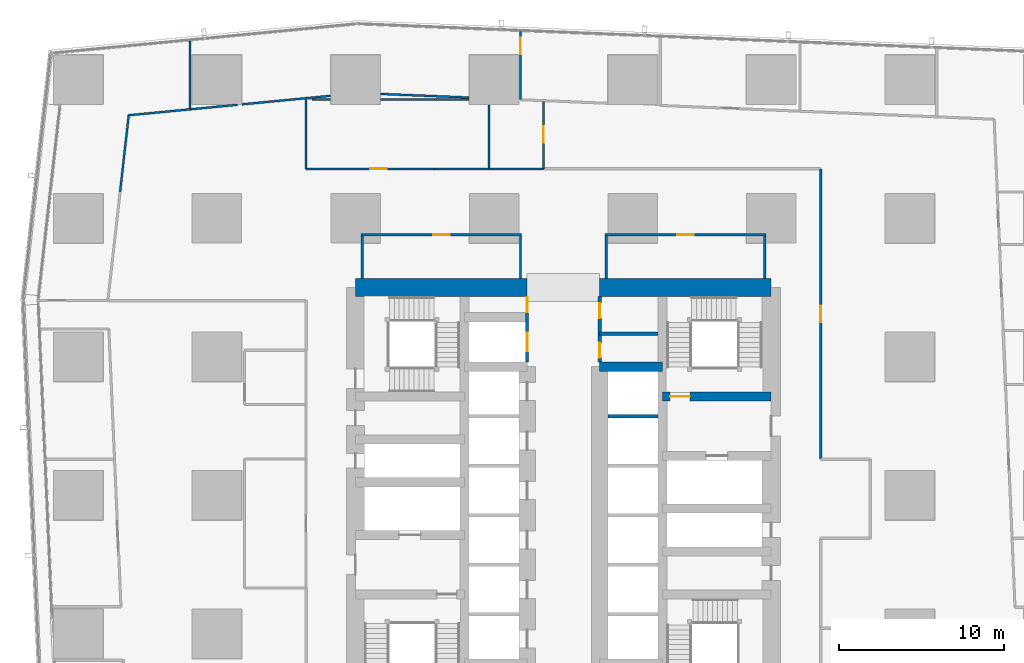
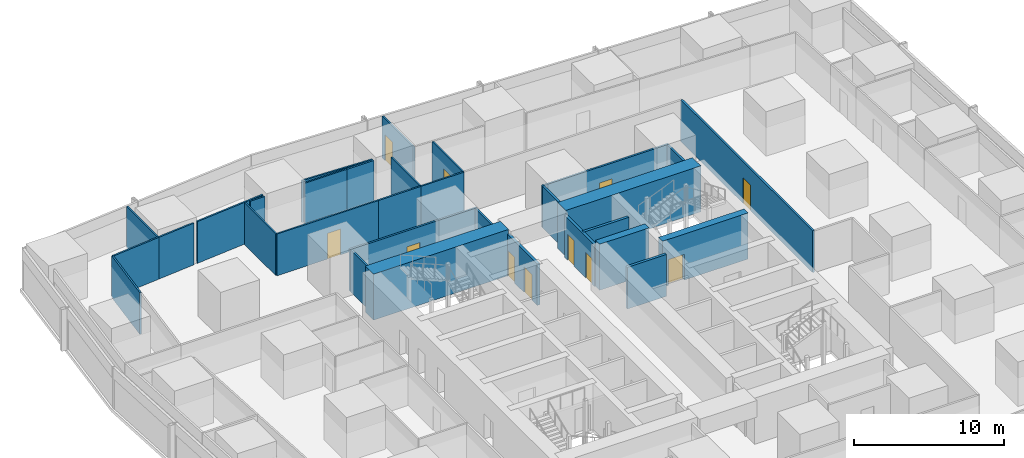
# One storey, part 34 of 44: 32 walls, 11 doors, 11 openings.
"""IFC4 building model written with IfcOpenShell, lengths in metres."""

from ifc_helpers import new_model, si_unit, direction, frame, frame_2d, origin, place, context, subcontext, project, spatial, rectangle, extrude, material, layer, layer_set, type_object, element, fill, save


model = new_model("IFC4")

# Units and contexts
model_context = context("Model", 3, precision=1e-05, world=origin(), true_north=direction((0.0, 1.0)))
body_context = subcontext(model_context, "Body", "Model", "MODEL_VIEW")
ifc_project = project(units=[si_unit("LENGTHUNIT", "METRE"), si_unit("AREAUNIT", "SQUARE_METRE"), si_unit("VOLUMEUNIT", "CUBIC_METRE"), si_unit("PLANEANGLEUNIT", "RADIAN"), si_unit("MASSUNIT", "GRAM", prefix="KILO")], contexts=[model_context])

# Site, building, storey
site_placement = place(None, origin())
site = spatial("IfcSite", under=ifc_project, at=site_placement, CompositionType="ELEMENT")
building_placement = place(site_placement, origin())
building = spatial("IfcBuilding", under=site, at=building_placement, Name="Rekha Terrace Tower", CompositionType="ELEMENT")
storey_placement = place(building_placement, frame((0.0, 0.0, 81.64990234375)))
storey = spatial("IfcBuildingStorey", under=building, at=storey_placement, Name="L20", CompositionType="ELEMENT", Elevation=81.64990234375)

# Wall
ifc_material_1 = material(Name="Concrete M70", Category="concrete")
ifc_layer_1 = layer(ifc_material_1, 0.550048828125)
ifc_layer_set_1 = layer_set([ifc_layer_1], Name="Concrete M70")
wall_type_1 = type_object("IfcWallType", Name="CI1 550 core internal shear wall", PredefinedType="SHEAR", material=ifc_layer_set_1)
wall_1_placement = place(storey_placement, frame((40.0, 41.39990234375, 0.0), z_axis=(0.0, 0.0, 1.0), x_axis=(1.0, 0.0, 0.0)))
element("IfcWall", 1, at=wall_1_placement, inside=storey, type_object=wall_type_1, Name="Core wall Y414E L20", PredefinedType="SHEAR", context=body_context, shape_type="SweptSolid", body=[
    extrude(rectangle(XDim=3.800048828125, YDim=0.550048828125, at=frame_2d((1.89990234375, 0.0))), origin(), (0.0, 0.0, 1.0), 3.75),
])

# Wall, opening, door
wall_2_placement = place(storey_placement, frame((43.800048828125, 39.60009765625, 0.0), z_axis=(0.0, 0.0, 1.0), x_axis=(1.0, 0.0, 0.0)))
wall_2 = element("IfcWall", 2, at=wall_2_placement, inside=storey, type_object=wall_type_1, Name="Core wall Y396E L20", PredefinedType="SHEAR", context=body_context, shape_type="SweptSolid", body=[
    extrude(rectangle(XDim=6.599853515625, YDim=0.550048828125, at=frame_2d((3.2998046875, 0.0))), origin(), (0.0, 0.0, 1.0), 3.75),
])
opening_1_placement = place(wall_2_placement, frame((0.47509765625, 0.0, 0.0)))
opening_1 = element("IfcOpeningElement", 3, at=opening_1_placement, cuts=wall_2, Name="Opening D1", PredefinedType="OPENING", context=body_context, shape_type="SweptSolid", body=[
    extrude(rectangle(XDim=1.199951171875, YDim=2.10009765625, at=frame_2d((0.60009765625, 1.050048828125))), frame((0.0, 0.284912109375, 0.0), z_axis=(0.0, -1.0, 0.0), x_axis=(1.0, 0.0, 0.0)), (0.0, 0.0, 1.0), 0.570068359375),
])
ifc_material_2 = material(Name="Steel fire door", Category="steel")
door_type_1 = type_object("IfcDoorType", Name="D1 1200x2100 stair fire door", OperationType="SINGLE_SWING_RIGHT", PredefinedType="DOOR", material=ifc_material_2)
door_1_placement = place(opening_1_placement, origin())
door_1 = element("IfcDoor", 4, at=door_1_placement, inside=storey, type_object=door_type_1, Name="Stair ST2 door L20", OperationType="SINGLE_SWING_RIGHT", OverallHeight=2.10009765625, OverallWidth=1.199951171875, PredefinedType="DOOR", context=body_context, shape_type="SweptSolid", body=[
    extrude(rectangle(XDim=1.199951171875, YDim=2.10009765625, at=frame_2d((0.60009765625, 1.050048828125))), frame((0.0, 0.02490234375, 0.0), z_axis=(0.0, -1.0, 0.0), x_axis=(1.0, 0.0, 0.0)), (0.0, 0.0, 1.0), 0.050048828125),
])
fill(opening_1, door_1)

# Walls
ifc_layer_2 = layer(ifc_material_1, 1.10009765625)
ifc_layer_set_2 = layer_set([ifc_layer_2], Name="Concrete M70")
wall_type_2 = type_object("IfcWallType", Name="SW1 1100 core outer shear wall", PredefinedType="SHEAR", material=ifc_layer_set_2)
wall_3_placement = place(storey_placement, frame((25.199951171875, 46.199951171875, 0.0), z_axis=(0.0, 0.0, 1.0), x_axis=(1.0, 0.0, 0.0)))
element("IfcWall", 5, at=wall_3_placement, inside=storey, type_object=wall_type_2, Name="Core wall N1 L20", PredefinedType="SHEAR", context=body_context, shape_type="SweptSolid", body=[
    extrude(rectangle(XDim=10.400146484375, YDim=1.10009765625, at=frame_2d((5.2001953125, 0.0))), origin(), (0.0, 0.0, 1.0), 3.75),
])
wall_4_placement = place(storey_placement, frame((40.0, 46.199951171875, 0.0), z_axis=(0.0, 0.0, 1.0), x_axis=(1.0, 0.0, 0.0)))
element("IfcWall", 6, at=wall_4_placement, inside=storey, type_object=wall_type_2, Name="Core wall N2 L20", PredefinedType="SHEAR", context=body_context, shape_type="SweptSolid", body=[
    extrude(rectangle(XDim=10.39990234375, YDim=1.10009765625, at=frame_2d((5.199951171875, 0.0))), origin(), (0.0, 0.0, 1.0), 3.75),
])

# Wall, opening, door
ifc_material_3 = material(Name="Concrete block masonry, 1 hour", Category="masonry")
ifc_layer_3 = layer(ifc_material_3, 0.14990234375)
ifc_layer_set_3 = layer_set([ifc_layer_3], Name="Concrete block masonry, 1 hour")
wall_type_3 = type_object("IfcWallType", Name="WP2 150 tenancy partition", PredefinedType="PARTITIONING", material=ifc_layer_set_3)
wall_5_placement = place(storey_placement, frame((40.324951171875, 49.39990234375, 0.0), z_axis=(0.0, 0.0, 1.0), x_axis=(1.0, 0.0, 0.0)))
wall_5 = element("IfcWall", 7, at=wall_5_placement, inside=storey, type_object=wall_type_3, Name="Women's WC wall L20", PredefinedType="PARTITIONING", context=body_context, shape_type="SweptSolid", body=[
    extrude(rectangle(XDim=9.75, YDim=0.14990234375, at=frame_2d((4.875, 0.0))), origin(), (0.0, 0.0, 1.0), 3.400146484375),
])
opening_2_placement = place(wall_5_placement, frame((4.375, 0.0, 0.0)))
opening_2 = element("IfcOpeningElement", 8, at=opening_2_placement, cuts=wall_5, Name="Opening D3", PredefinedType="OPENING", context=body_context, shape_type="SweptSolid", body=[
    extrude(rectangle(XDim=1.0, YDim=2.10009765625, at=frame_2d((0.5, 1.050048828125))), frame((0.0, 0.0849609375, 0.0), z_axis=(0.0, -1.0, 0.0), x_axis=(1.0, 0.0, 0.0)), (0.0, 0.0, 1.0), 0.169921875),
])
ifc_material_4 = material(Name="Laminated timber fire door", Category="wood")
door_type_2 = type_object("IfcDoorType", Name="D3 1000x2100 WC door", OperationType="SINGLE_SWING_LEFT", PredefinedType="DOOR", material=ifc_material_4)
door_2_placement = place(opening_2_placement, origin())
door_2 = element("IfcDoor", 9, at=door_2_placement, inside=storey, type_object=door_type_2, Name="Door women's wc L20", OperationType="SINGLE_SWING_LEFT", OverallHeight=2.10009765625, OverallWidth=1.0, PredefinedType="DOOR", context=body_context, shape_type="SweptSolid", body=[
    extrude(rectangle(XDim=1.0, YDim=2.10009765625, at=frame_2d((0.5, 1.050048828125))), frame((0.0, 0.02490234375, 0.0), z_axis=(0.0, -1.0, 0.0), x_axis=(1.0, 0.0, 0.0)), (0.0, 0.0, 1.0), 0.050048828125),
])
fill(opening_2, door_2)

# Walls
for number, where, z_axis, x_axis, name in (
    (10, (40.39990234375, 46.75, 0.0), (0.0, 0.0, 1.0), (0.0, 1.0, 0.0), "Women's WC wall L20"),
    (11, (50.0, 46.75, 0.0), (0.0, 0.0, 1.0), (0.0, 1.0, 0.0), "Women's WC wall L20"),
):
    element("IfcWall", number, at=place(storey_placement, frame(where, z_axis=z_axis, x_axis=x_axis)), inside=storey, type_object=wall_type_3, Name=name, PredefinedType="PARTITIONING", context=body_context, shape_type="SweptSolid", body=[
        extrude(rectangle(XDim=2.574951171875, YDim=0.14990234375, at=frame_2d((1.28759765625, 0.0))), origin(), (0.0, 0.0, 1.0), 3.400146484375),
    ])

# Wall, opening, door
wall_6_placement = place(storey_placement, frame((25.52490234375, 49.39990234375, 0.0), z_axis=(0.0, 0.0, 1.0), x_axis=(1.0, 0.0, 0.0)))
wall_6 = element("IfcWall", 12, at=wall_6_placement, inside=storey, type_object=wall_type_3, Name="Women's WC wall L20", PredefinedType="PARTITIONING", context=body_context, shape_type="SweptSolid", body=[
    extrude(rectangle(XDim=9.75, YDim=0.14990234375, at=frame_2d((4.875, 0.0))), origin(), (0.0, 0.0, 1.0), 3.400146484375),
])
opening_3_placement = place(wall_6_placement, frame((4.375, 0.0, 0.0)))
opening_3 = element("IfcOpeningElement", 13, at=opening_3_placement, cuts=wall_6, Name="Opening D3", PredefinedType="OPENING", context=body_context, shape_type="SweptSolid", body=[
    extrude(rectangle(XDim=1.0, YDim=2.10009765625, at=frame_2d((0.5, 1.050048828125))), frame((0.0, 0.0849609375, 0.0), z_axis=(0.0, -1.0, 0.0), x_axis=(1.0, 0.0, 0.0)), (0.0, 0.0, 1.0), 0.169921875),
])
door_3_placement = place(opening_3_placement, origin())
door_3 = element("IfcDoor", 14, at=door_3_placement, inside=storey, type_object=door_type_2, Name="Door women's wc L20", OperationType="SINGLE_SWING_LEFT", OverallHeight=2.10009765625, OverallWidth=1.0, PredefinedType="DOOR", context=body_context, shape_type="SweptSolid", body=[
    extrude(rectangle(XDim=1.0, YDim=2.10009765625, at=frame_2d((0.5, 1.050048828125))), frame((0.0, 0.02490234375, 0.0), z_axis=(0.0, -1.0, 0.0), x_axis=(1.0, 0.0, 0.0)), (0.0, 0.0, 1.0), 0.050048828125),
])
fill(opening_3, door_3)

# Walls
for number, where, z_axis, x_axis, name in (
    (15, (25.60009765625, 46.75, 0.0), (0.0, 0.0, 1.0), (0.0, 1.0, 0.0), "Women's WC wall L20"),
    (16, (35.199951171875, 46.75, 0.0), (0.0, 0.0, 1.0), (0.0, 1.0, 0.0), "Women's WC wall L20"),
):
    element("IfcWall", number, at=place(storey_placement, frame(where, z_axis=z_axis, x_axis=x_axis)), inside=storey, type_object=wall_type_3, Name=name, PredefinedType="PARTITIONING", context=body_context, shape_type="SweptSolid", body=[
        extrude(rectangle(XDim=2.574951171875, YDim=0.14990234375, at=frame_2d((1.28759765625, 0.0))), origin(), (0.0, 0.0, 1.0), 3.400146484375),
    ])

# Wall, opening, door
wall_7_placement = place(storey_placement, frame((53.39990234375, 35.800048828125, 0.0), z_axis=(0.0, 0.0, 1.0), x_axis=(0.0, 1.0, 0.0)))
wall_7 = element("IfcWall", 17, at=wall_7_placement, inside=storey, type_object=wall_type_3, Name="Partition L20-O1", PredefinedType="PARTITIONING", context=body_context, shape_type="SweptSolid", body=[
    extrude(rectangle(XDim=17.599853515625, YDim=0.14990234375, at=frame_2d((8.7998046875, 0.0))), origin(), (0.0, 0.0, 1.0), 3.400146484375),
])
opening_4_placement = place(wall_7_placement, frame((8.300048828125, 0.0, 0.0)))
opening_4 = element("IfcOpeningElement", 18, at=opening_4_placement, cuts=wall_7, Name="Opening D9", PredefinedType="OPENING", context=body_context, shape_type="SweptSolid", body=[
    extrude(rectangle(XDim=1.0, YDim=2.10009765625, at=frame_2d((0.5, 1.050048828125))), frame((0.0, 0.0849609375, 0.0), z_axis=(0.0, -1.0, 0.0), x_axis=(1.0, 0.0, 0.0)), (0.0, 0.0, 1.0), 0.169921875),
])
ifc_material_5 = material(Name="Timber fire door", Category="wood")
door_type_3 = type_object("IfcDoorType", Name="D9 1000x2100 office door", OperationType="SINGLE_SWING_LEFT", PredefinedType="DOOR", material=ifc_material_5)
door_4_placement = place(opening_4_placement, origin())
door_4 = element("IfcDoor", 19, at=door_4_placement, inside=storey, type_object=door_type_3, Name="Door open-plan office L20", OperationType="SINGLE_SWING_LEFT", OverallHeight=2.10009765625, OverallWidth=1.0, PredefinedType="DOOR", context=body_context, shape_type="SweptSolid", body=[
    extrude(rectangle(XDim=1.0, YDim=2.10009765625, at=frame_2d((0.5, 1.050048828125))), frame((0.0, 0.02490234375, 0.0), z_axis=(0.0, -1.0, 0.0), x_axis=(1.0, 0.0, 0.0)), (0.0, 0.0, 1.0), 0.050048828125),
])
fill(opening_4, door_4)

ifc_material_6 = material(Name="Two layers of fire-rated gypsum board each side on steel studs, acoustic quilt, 1 hour", Category="steel")
ifc_layer_4 = layer(ifc_material_6, 0.125)
ifc_layer_set_4 = layer_set([ifc_layer_4], Name="Two layers of fire-rated gypsum board each side on steel studs, acoustic quilt, 1 hour")
wall_type_4 = type_object("IfcWallType", Name="WP3 125 office partition", PredefinedType="PARTITIONING", material=ifc_layer_set_4)
wall_8_placement = place(storey_placement, frame((35.199951171875, 57.589111328125, 0.0), z_axis=(0.0, 0.0, 1.0), x_axis=(0.0, 1.0, 0.0)))
wall_8 = element("IfcWall", 20, at=wall_8_placement, inside=storey, type_object=wall_type_4, Name="Partition L20-06", PredefinedType="PARTITIONING", context=body_context, shape_type="SweptSolid", body=[
    extrude(rectangle(XDim=4.123779296875, YDim=0.125, at=frame_2d((2.06201171875, 0.0))), origin(), (0.0, 0.0, 1.0), 3.400146484375),
])
opening_5_placement = place(wall_8_placement, frame((2.761962890625, 0.0, 0.0)))
opening_5 = element("IfcOpeningElement", 21, at=opening_5_placement, cuts=wall_8, Name="Opening D9", PredefinedType="OPENING", context=body_context, shape_type="SweptSolid", body=[
    extrude(rectangle(XDim=1.0, YDim=2.10009765625, at=frame_2d((0.5, 1.050048828125))), frame((0.0, 0.072509765625, 0.0), z_axis=(0.0, -1.0, 0.0), x_axis=(1.0, 0.0, 0.0)), (0.0, 0.0, 1.0), 0.14501953125),
])
door_5_placement = place(opening_5_placement, origin())
door_5 = element("IfcDoor", 22, at=door_5_placement, inside=storey, type_object=door_type_3, Name="Door office L20", OperationType="SINGLE_SWING_LEFT", OverallHeight=2.10009765625, OverallWidth=1.0, PredefinedType="DOOR", context=body_context, shape_type="SweptSolid", body=[
    extrude(rectangle(XDim=1.0, YDim=2.10009765625, at=frame_2d((0.5, 1.050048828125))), frame((0.0, 0.02490234375, 0.0), z_axis=(0.0, -1.0, 0.0), x_axis=(1.0, 0.0, 0.0)), (0.0, 0.0, 1.0), 0.050048828125),
])
fill(opening_5, door_5)

# Walls
wall_9_placement = place(storey_placement, frame((15.177001953125, 57.0048828125, 0.0), z_axis=(0.0, 0.0, 1.0), x_axis=(0.0, 1.0, 0.0)))
element("IfcWall", 23, at=wall_9_placement, inside=storey, type_object=wall_type_4, Name="Partition L20-07", PredefinedType="PARTITIONING", context=body_context, shape_type="SweptSolid", body=[
    extrude(rectangle(XDim=4.13916015625, YDim=0.125, at=frame_2d((2.069580078125, 0.0))), origin(), (0.0, 0.0, 1.0), 3.400146484375),
])
wall_10_placement = place(storey_placement, frame((32.080078125, 57.718017578125, 0.0), z_axis=(0.0, 0.0, 1.0), x_axis=(-0.99915427175, 0.041118624049, 0.0)))
element("IfcWall", 24, at=wall_10_placement, inside=storey, type_object=wall_type_4, Name="Partition L20-07", PredefinedType="PARTITIONING", context=body_context, shape_type="SweptSolid", body=[
    extrude(rectangle(XDim=5.177490234375, YDim=0.125, at=frame_2d((2.5888671875, 0.0))), origin(), (0.0, 0.0, 1.0), 3.400146484375),
])
wall_11_placement = place(storey_placement, frame((26.906982421875, 57.930908203125, 0.0), z_axis=(0.0, 0.0, 1.0), x_axis=(-0.999073306043, 0.043041017101, 0.0)))
element("IfcWall", 25, at=wall_11_placement, inside=storey, type_object=wall_type_4, Name="Partition L20-07", PredefinedType="PARTITIONING", context=body_context, shape_type="SweptSolid", body=[
    extrude(rectangle(XDim=0.187255859375, YDim=0.125, at=frame_2d((0.09375, 0.0))), origin(), (0.0, 0.0, 1.0), 3.400146484375),
])
wall_12_placement = place(storey_placement, frame((23.679931640625, 57.822998046875, 0.0), z_axis=(0.0, 0.0, 1.0), x_axis=(-0.995395894547, -0.095848907765, 0.0)))
element("IfcWall", 26, at=wall_12_placement, inside=storey, type_object=wall_type_4, Name="Partition L20-07", PredefinedType="PARTITIONING", context=body_context, shape_type="SweptSolid", body=[
    extrude(rectangle(XDim=5.384765625, YDim=0.125, at=frame_2d((2.6923828125, 0.0))), origin(), (0.0, 0.0, 1.0), 3.400146484375),
])
wall_13_placement = place(storey_placement, frame((18.037109375, 57.280029296875, 0.0), z_axis=(0.0, 0.0, 1.0), x_axis=(-0.995404513367, -0.095759358648, 0.0)))
element("IfcWall", 27, at=wall_13_placement, inside=storey, type_object=wall_type_4, Name="Partition L20-07", PredefinedType="PARTITIONING", context=body_context, shape_type="SweptSolid", body=[
    extrude(rectangle(XDim=2.873291015625, YDim=0.125, at=frame_2d((1.4365234375, 0.0))), origin(), (0.0, 0.0, 1.0), 3.400146484375),
])
wall_14_placement = place(storey_placement, frame((15.176025390625, 57.0048828125, 0.0), z_axis=(0.0, 0.0, 1.0), x_axis=(-0.995395878678, -0.095849072557, 0.0)))
element("IfcWall", 28, at=wall_14_placement, inside=storey, type_object=wall_type_4, Name="Partition L20-08", PredefinedType="PARTITIONING", context=body_context, shape_type="SweptSolid", body=[
    extrude(rectangle(XDim=3.744384765625, YDim=0.125, at=frame_2d((1.8720703125, 0.0))), origin(), (0.0, 0.0, 1.0), 3.400146484375),
])
wall_15_placement = place(storey_placement, frame((11.448974609375, 56.64599609375, 0.0), z_axis=(0.0, 0.0, 1.0), x_axis=(-0.111724331414, -0.993739238317, 0.0)))
element("IfcWall", 29, at=wall_15_placement, inside=storey, type_object=wall_type_4, Name="Partition L20-08", PredefinedType="PARTITIONING", context=body_context, shape_type="SweptSolid", body=[
    extrude(rectangle(XDim=4.663330078125, YDim=0.125, at=frame_2d((2.33154296875, 0.0))), origin(), (0.0, 0.0, 1.0), 3.400146484375),
])
wall_16_placement = place(storey_placement, frame((22.56103515625, 57.589111328125, 0.0), z_axis=(0.0, 0.0, 1.0), x_axis=(1.0, 0.0, 0.0)))
element("IfcWall", 30, at=wall_16_placement, inside=storey, type_object=wall_type_4, Name="Partition L20-09", PredefinedType="PARTITIONING", context=body_context, shape_type="SweptSolid", body=[
    extrude(rectangle(XDim=1.118896484375, YDim=0.125, at=frame_2d((0.5595703125, 0.0))), origin(), (0.0, 0.0, 1.0), 3.400146484375),
])
wall_17_placement = place(storey_placement, frame((26.719970703125, 57.589111328125, 0.0), z_axis=(0.0, 0.0, 1.0), x_axis=(1.0, 0.0, 0.0)))
element("IfcWall", 31, at=wall_17_placement, inside=storey, type_object=wall_type_4, Name="Partition L20-09", PredefinedType="PARTITIONING", context=body_context, shape_type="SweptSolid", body=[
    extrude(rectangle(XDim=3.280029296875, YDim=0.125, at=frame_2d((1.64013671875, 0.0))), origin(), (0.0, 0.0, 1.0), 3.400146484375),
])

# Wall, opening, door
wall_18_placement = place(storey_placement, frame((30.0, 53.39990234375, 0.0), z_axis=(0.0, 0.0, 1.0), x_axis=(-1.0, 0.0, 0.0)))
wall_18 = element("IfcWall", 32, at=wall_18_placement, inside=storey, type_object=wall_type_4, Name="Partition L20-09", PredefinedType="PARTITIONING", context=body_context, shape_type="SweptSolid", body=[
    extrude(rectangle(XDim=7.800048828125, YDim=0.125, at=frame_2d((3.89990234375, 0.0))), origin(), (0.0, 0.0, 1.0), 3.400146484375),
])
opening_6_placement = place(wall_18_placement, frame((2.89990234375, 0.0, 0.0)))
opening_6 = element("IfcOpeningElement", 33, at=opening_6_placement, cuts=wall_18, Name="Opening D9", PredefinedType="OPENING", context=body_context, shape_type="SweptSolid", body=[
    extrude(rectangle(XDim=1.0, YDim=2.10009765625, at=frame_2d((0.5, 1.050048828125))), frame((0.0, 0.072509765625, 0.0), z_axis=(0.0, -1.0, 0.0), x_axis=(1.0, 0.0, 0.0)), (0.0, 0.0, 1.0), 0.14501953125),
])
door_6_placement = place(opening_6_placement, origin())
door_6 = element("IfcDoor", 34, at=door_6_placement, inside=storey, type_object=door_type_3, Name="Door reception L20", OperationType="SINGLE_SWING_LEFT", OverallHeight=2.10009765625, OverallWidth=1.0, PredefinedType="DOOR", context=body_context, shape_type="SweptSolid", body=[
    extrude(rectangle(XDim=1.0, YDim=2.10009765625, at=frame_2d((0.5, 1.050048828125))), frame((0.0, 0.02490234375, 0.0), z_axis=(0.0, -1.0, 0.0), x_axis=(1.0, 0.0, 0.0)), (0.0, 0.0, 1.0), 0.050048828125),
])
fill(opening_6, door_6)

# Walls
wall_19_placement = place(storey_placement, frame((22.199951171875, 53.39990234375, 0.0), z_axis=(0.0, 0.0, 1.0), x_axis=(0.0, 1.0, 0.0)))
element("IfcWall", 35, at=wall_19_placement, inside=storey, type_object=wall_type_4, Name="Partition L20-09", PredefinedType="PARTITIONING", context=body_context, shape_type="SweptSolid", body=[
    extrude(rectangle(XDim=4.189208984375, YDim=0.125, at=frame_2d((2.0947265625, 0.0))), origin(), (0.0, 0.0, 1.0), 3.400146484375),
])
wall_20_placement = place(storey_placement, frame((30.0, 57.589111328125, 0.0), z_axis=(0.0, 0.0, 1.0), x_axis=(1.0, 0.0, 0.0)))
element("IfcWall", 36, at=wall_20_placement, inside=storey, type_object=wall_type_4, Name="Partition L20-10", PredefinedType="PARTITIONING", context=body_context, shape_type="SweptSolid", body=[
    extrude(rectangle(XDim=2.080078125, YDim=0.125, at=frame_2d((1.0400390625, 0.0))), origin(), (0.0, 0.0, 1.0), 3.400146484375),
])
wall_21_placement = place(storey_placement, frame((33.300048828125, 57.280029296875, 0.0), z_axis=(0.0, 0.0, 1.0), x_axis=(0.0, -1.0, 0.0)))
element("IfcWall", 37, at=wall_21_placement, inside=storey, type_object=wall_type_4, Name="Partition L20-10", PredefinedType="PARTITIONING", context=body_context, shape_type="SweptSolid", body=[
    extrude(rectangle(XDim=3.880126953125, YDim=0.125, at=frame_2d((1.93994140625, 0.0))), origin(), (0.0, 0.0, 1.0), 3.400146484375),
])
wall_22_placement = place(storey_placement, frame((33.300048828125, 53.39990234375, 0.0), z_axis=(0.0, 0.0, 1.0), x_axis=(-1.0, 0.0, 0.0)))
element("IfcWall", 38, at=wall_22_placement, inside=storey, type_object=wall_type_4, Name="Partition L20-10", PredefinedType="PARTITIONING", context=body_context, shape_type="SweptSolid", body=[
    extrude(rectangle(XDim=3.300048828125, YDim=0.125, at=frame_2d((1.64990234375, 0.0))), origin(), (0.0, 0.0, 1.0), 3.400146484375),
])

# Wall, opening, door
wall_23_placement = place(storey_placement, frame((36.60009765625, 57.468994140625, 0.0), z_axis=(0.0, 0.0, 1.0), x_axis=(0.0, -1.0, 0.0)))
wall_23 = element("IfcWall", 39, at=wall_23_placement, inside=storey, type_object=wall_type_4, Name="Partition L20-11", PredefinedType="PARTITIONING", context=body_context, shape_type="SweptSolid", body=[
    extrude(rectangle(XDim=4.069091796875, YDim=0.125, at=frame_2d((2.03466796875, 0.0))), origin(), (0.0, 0.0, 1.0), 3.400146484375),
])
opening_7_placement = place(wall_23_placement, frame((1.5029296875, 0.0, 0.0)))
opening_7 = element("IfcOpeningElement", 40, at=opening_7_placement, cuts=wall_23, Name="Opening D9", PredefinedType="OPENING", context=body_context, shape_type="SweptSolid", body=[
    extrude(rectangle(XDim=1.0, YDim=2.10009765625, at=frame_2d((0.5, 1.050048828125))), frame((0.0, 0.072509765625, 0.0), z_axis=(0.0, -1.0, 0.0), x_axis=(1.0, 0.0, 0.0)), (0.0, 0.0, 1.0), 0.14501953125),
])
door_7_placement = place(opening_7_placement, origin())
door_7 = element("IfcDoor", 41, at=door_7_placement, inside=storey, type_object=door_type_3, Name="Door storage room L20", OperationType="SINGLE_SWING_LEFT", OverallHeight=2.10009765625, OverallWidth=1.0, PredefinedType="DOOR", context=body_context, shape_type="SweptSolid", body=[
    extrude(rectangle(XDim=1.0, YDim=2.10009765625, at=frame_2d((0.5, 1.050048828125))), frame((0.0, 0.02490234375, 0.0), z_axis=(0.0, -1.0, 0.0), x_axis=(1.0, 0.0, 0.0)), (0.0, 0.0, 1.0), 0.050048828125),
])
fill(opening_7, door_7)

# Walls
wall_24_placement = place(storey_placement, frame((36.60009765625, 53.39990234375, 0.0), z_axis=(0.0, 0.0, 1.0), x_axis=(-1.0, 0.0, 0.0)))
element("IfcWall", 42, at=wall_24_placement, inside=storey, type_object=wall_type_4, Name="Partition L20-11", PredefinedType="PARTITIONING", context=body_context, shape_type="SweptSolid", body=[
    extrude(rectangle(XDim=3.300048828125, YDim=0.125, at=frame_2d((1.64990234375, 0.0))), origin(), (0.0, 0.0, 1.0), 3.400146484375),
])
ifc_material_7 = material(Name="Solid concrete block masonry, 2 hour", Category="masonry")
ifc_layer_5 = layer(ifc_material_7, 0.199951171875)
ifc_layer_set_5 = layer_set([ifc_layer_5], Name="Solid concrete block masonry, 2 hour")
wall_type_5 = type_object("IfcWallType", Name="WS1 200 stair and shaft enclosure", PredefinedType="PARTITIONING", material=ifc_layer_set_5)
wall_25_placement = place(storey_placement, frame((40.5, 38.39990234375, 0.0), z_axis=(0.0, 0.0, 1.0), x_axis=(1.0, 0.0, 0.0)))
element("IfcWall", 43, at=wall_25_placement, inside=storey, type_object=wall_type_5, Name="Lift shaft divider L20", PredefinedType="PARTITIONING", context=body_context, shape_type="SweptSolid", body=[
    extrude(rectangle(XDim=3.02490234375, YDim=0.199951171875, at=frame_2d((1.512451171875, 0.0))), origin(), (0.0, 0.0, 1.0), 3.400146484375),
])

# Wall, openings, doors
wall_26_placement = place(storey_placement, frame((40.0, 41.675048828125, 0.0), z_axis=(0.0, 0.0, 1.0), x_axis=(0.0, 1.0, 0.0)))
wall_26 = element("IfcWall", 44, at=wall_26_placement, inside=storey, type_object=wall_type_5, Name="Core partition elec L20", PredefinedType="PARTITIONING", context=body_context, shape_type="SweptSolid", body=[
    extrude(rectangle(XDim=3.974853515625, YDim=0.199951171875, at=frame_2d((1.9873046875, 0.0))), origin(), (0.0, 0.0, 1.0), 3.400146484375),
])
opening_8_placement = place(wall_26_placement, frame((2.675048828125, 0.0, 0.0)))
opening_8 = element("IfcOpeningElement", 45, at=opening_8_placement, cuts=wall_26, Name="Opening D5", PredefinedType="OPENING", context=body_context, shape_type="SweptSolid", body=[
    extrude(rectangle(XDim=0.89990234375, YDim=2.10009765625, at=frame_2d((0.449951171875, 1.050048828125))), frame((0.0, 0.10986328125, 0.0), z_axis=(0.0, -1.0, 0.0), x_axis=(1.0, 0.0, 0.0)), (0.0, 0.0, 1.0), 0.219970703125),
])
opening_9_placement = place(wall_26_placement, frame((0.27490234375, 0.0, 0.0)))
opening_9 = element("IfcOpeningElement", 46, at=opening_9_placement, cuts=wall_26, Name="Opening D5", PredefinedType="OPENING", context=body_context, shape_type="SweptSolid", body=[
    extrude(rectangle(XDim=0.89990234375, YDim=2.10009765625, at=frame_2d((0.449951171875, 1.050048828125))), frame((0.0, 0.10986328125, 0.0), z_axis=(0.0, -1.0, 0.0), x_axis=(1.0, 0.0, 0.0)), (0.0, 0.0, 1.0), 0.219970703125),
])
door_type_4 = type_object("IfcDoorType", Name="D5 900x2100 riser access door", OperationType="SINGLE_SWING_LEFT", PredefinedType="DOOR", material=ifc_material_2)
door_8_placement = place(opening_8_placement, origin())
door_8 = element("IfcDoor", 47, at=door_8_placement, inside=storey, type_object=door_type_4, Name="Door electrical room L20", OperationType="SINGLE_SWING_LEFT", OverallHeight=2.10009765625, OverallWidth=0.89990234375, PredefinedType="DOOR", context=body_context, shape_type="SweptSolid", body=[
    extrude(rectangle(XDim=0.89990234375, YDim=2.10009765625, at=frame_2d((0.449951171875, 1.050048828125))), frame((0.0, 0.02490234375, 0.0), z_axis=(0.0, -1.0, 0.0), x_axis=(1.0, 0.0, 0.0)), (0.0, 0.0, 1.0), 0.050048828125),
])
fill(opening_8, door_8)
door_9_placement = place(opening_9_placement, origin())
door_9 = element("IfcDoor", 48, at=door_9_placement, inside=storey, type_object=door_type_4, Name="Door records store L20", OperationType="SINGLE_SWING_LEFT", OverallHeight=2.10009765625, OverallWidth=0.89990234375, PredefinedType="DOOR", context=body_context, shape_type="SweptSolid", body=[
    extrude(rectangle(XDim=0.89990234375, YDim=2.10009765625, at=frame_2d((0.449951171875, 1.050048828125))), frame((0.0, 0.02490234375, 0.0), z_axis=(0.0, -1.0, 0.0), x_axis=(1.0, 0.0, 0.0)), (0.0, 0.0, 1.0), 0.050048828125),
])
fill(opening_9, door_9)

wall_27_placement = place(storey_placement, frame((35.60009765625, 41.675048828125, 0.0), z_axis=(0.0, 0.0, 1.0), x_axis=(0.0, 1.0, 0.0)))
wall_27 = element("IfcWall", 49, at=wall_27_placement, inside=storey, type_object=wall_type_5, Name="Core partition jansv L20", PredefinedType="PARTITIONING", context=body_context, shape_type="SweptSolid", body=[
    extrude(rectangle(XDim=3.974853515625, YDim=0.199951171875, at=frame_2d((1.9873046875, 0.0))), origin(), (0.0, 0.0, 1.0), 3.400146484375),
])
opening_10_placement = place(wall_27_placement, frame((3.02490234375, 0.0, 0.0)))
opening_10 = element("IfcOpeningElement", 50, at=opening_10_placement, cuts=wall_27, Name="Opening D5", PredefinedType="OPENING", context=body_context, shape_type="SweptSolid", body=[
    extrude(rectangle(XDim=0.89990234375, YDim=2.10009765625, at=frame_2d((0.449951171875, 1.050048828125))), frame((0.0, 0.10986328125, 0.0), z_axis=(0.0, -1.0, 0.0), x_axis=(1.0, 0.0, 0.0)), (0.0, 0.0, 1.0), 0.219970703125),
])
opening_11_placement = place(wall_27_placement, frame((0.675048828125, 0.0, 0.0)))
opening_11 = element("IfcOpeningElement", 51, at=opening_11_placement, cuts=wall_27, Name="Opening LD1", PredefinedType="OPENING", context=body_context, shape_type="SweptSolid", body=[
    extrude(rectangle(XDim=1.10009765625, YDim=2.10009765625, at=frame_2d((0.550048828125, 1.050048828125))), frame((0.0, 0.10986328125, 0.0), z_axis=(0.0, -1.0, 0.0), x_axis=(1.0, 0.0, 0.0)), (0.0, 0.0, 1.0), 0.219970703125),
])
door_10_placement = place(opening_10_placement, origin())
door_10 = element("IfcDoor", 52, at=door_10_placement, inside=storey, type_object=door_type_4, Name="Door janitor room L20", OperationType="SINGLE_SWING_LEFT", OverallHeight=2.10009765625, OverallWidth=0.89990234375, PredefinedType="DOOR", context=body_context, shape_type="SweptSolid", body=[
    extrude(rectangle(XDim=0.89990234375, YDim=2.10009765625, at=frame_2d((0.449951171875, 1.050048828125))), frame((0.0, 0.02490234375, 0.0), z_axis=(0.0, -1.0, 0.0), x_axis=(1.0, 0.0, 0.0)), (0.0, 0.0, 1.0), 0.050048828125),
])
fill(opening_10, door_10)
ifc_material_8 = material(Name="Stainless steel sliding landing door", Category="steel")
door_type_5 = type_object("IfcDoorType", Name="LD1 1100x2100 lift landing door", OperationType="SLIDING_TO_LEFT", PredefinedType="USERDEFINED", material=ifc_material_8)
door_11_placement = place(opening_11_placement, origin())
door_11 = element("IfcDoor", 53, at=door_11_placement, inside=storey, type_object=door_type_5, Name="Lift SV1 landing door L20", ObjectType="LIFT LANDING DOOR", OperationType="SLIDING_TO_LEFT", OverallHeight=2.10009765625, OverallWidth=1.10009765625, PredefinedType="USERDEFINED", context=body_context, shape_type="SweptSolid", body=[
    extrude(rectangle(XDim=1.10009765625, YDim=2.10009765625, at=frame_2d((0.550048828125, 1.050048828125))), frame((0.0, 0.02490234375, 0.0), z_axis=(0.0, -1.0, 0.0), x_axis=(1.0, 0.0, 0.0)), (0.0, 0.0, 1.0), 0.050048828125),
])
fill(opening_11, door_11)

# Wall
wall_28_placement = place(storey_placement, frame((40.0, 43.39990234375, 0.0), z_axis=(0.0, 0.0, 1.0), x_axis=(1.0, 0.0, 0.0)))
element("IfcWall", 54, at=wall_28_placement, inside=storey, type_object=wall_type_5, Name="Core partition elx L20", PredefinedType="PARTITIONING", context=body_context, shape_type="SweptSolid", body=[
    extrude(rectangle(XDim=3.52490234375, YDim=0.199951171875, at=frame_2d((1.762451171875, 0.0))), origin(), (0.0, 0.0, 1.0), 3.400146484375),
])

save(model, "model.ifc")
